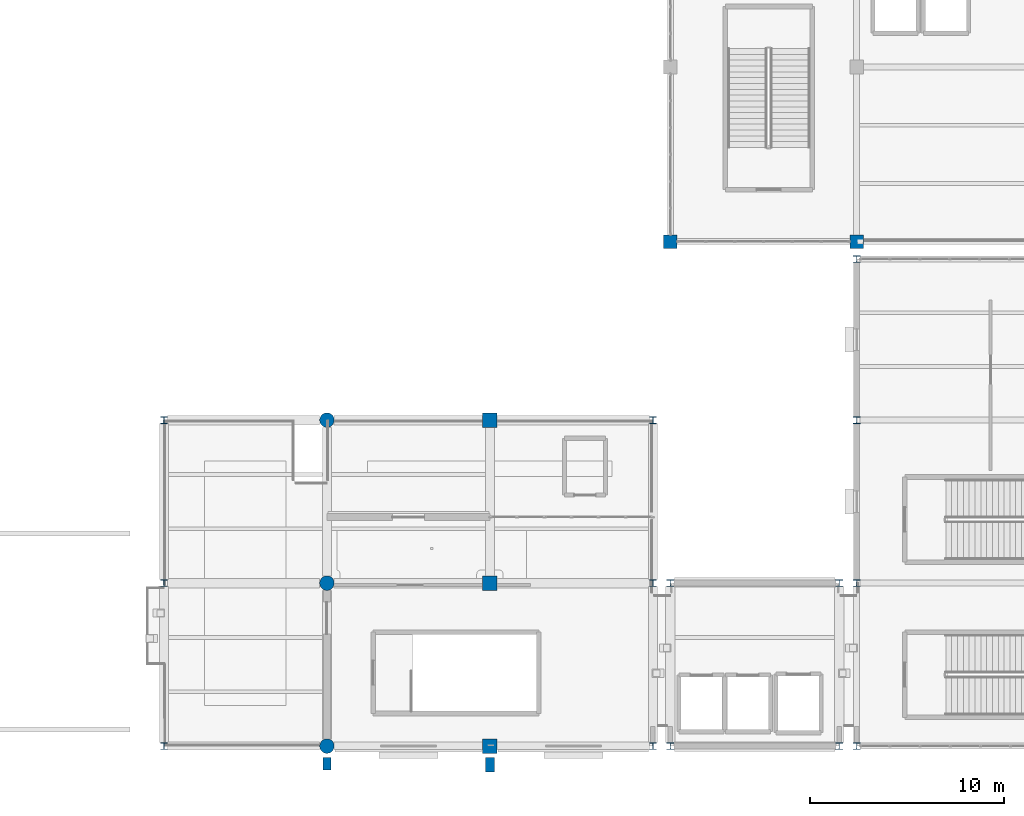
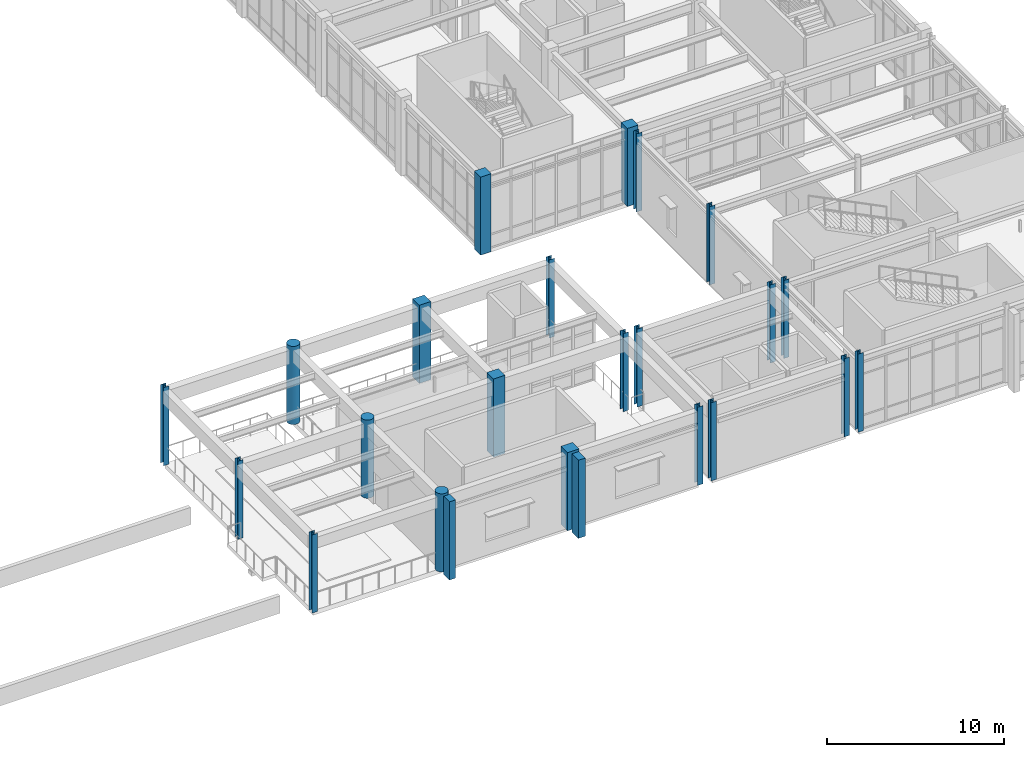
# One storey, part 1 of 80: 24 columns.
"""IFC4 building model written with IfcOpenShell, lengths in metres."""

from ifc_helpers import new_model, si_unit, direction, frame, origin, origin_2d, place, context, subcontext, project, spatial, rectangle, circle, i_section, extrude, material, material_profile, profile_set, type_object, element, save


model = new_model("IFC4")

# Units and contexts
model_context = context("Model", 3, precision=1e-05, world=origin(), true_north=direction((0.0, 1.0)))
body_context = subcontext(model_context, "Body", "Model", "MODEL_VIEW")
ifc_project = project(units=[si_unit("LENGTHUNIT", "METRE"), si_unit("AREAUNIT", "SQUARE_METRE"), si_unit("VOLUMEUNIT", "CUBIC_METRE"), si_unit("PLANEANGLEUNIT", "RADIAN"), si_unit("MASSUNIT", "GRAM", prefix="KILO")], contexts=[model_context])

# Site, building, storey
site_placement = place(None, origin())
site = spatial("IfcSite", under=ifc_project, at=site_placement, CompositionType="ELEMENT")
building_placement = place(site_placement, origin())
building = spatial("IfcBuilding", under=site, at=building_placement, Name="Canglan Escarpment Cableway Terminal", CompositionType="ELEMENT")
storey_placement = place(building_placement, frame((0.0, 0.0, 19.199951171875)))
storey = spatial("IfcBuildingStorey", under=building, at=storey_placement, Name="L04", CompositionType="ELEMENT", Elevation=19.199951171875)

# Columns
ifc_material_1 = material(Name="Steel Q355C", Category="steel")
ifc_material_profile_1 = material_profile(ifc_material_1, i_section(OverallWidth=0.35009765625, OverallDepth=0.35009765625, WebThickness=0.011962890625, FlangeThickness=0.01904296875, FilletRadius=0.02001953125, at=origin_2d()), Name="HW 350x350x12x19")
ifc_profile_set_1 = profile_set([ifc_material_profile_1], Name="Steel Q355C")
column_type_1 = type_object("IfcColumnType", Name="COL-HW350-Q355C", PredefinedType="COLUMN", material=ifc_profile_set_1)
for number, where, z_axis, x_axis, name in (
    (1, (111.5, 8.0, 0.0), (0.0, 0.0, 1.0), (1.0, 0.0, 0.0), "Structural column C-09"),
    (2, (111.5, 16.39990234375, 0.0), (0.0, 0.0, 1.0), (1.0, 0.0, 0.0), "Structural column C-09"),
    (3, (111.5, 24.800048828125, 0.0), (0.0, 0.0, 1.0), (1.0, 0.0, 0.0), "Structural column C-09"),
    (4, (136.699951171875, 8.0, 0.0), (0.0, 0.0, 1.0), (1.0, 0.0, 0.0), "Structural column C-09"),
    (5, (136.699951171875, 16.39990234375, 0.0), (0.0, 0.0, 1.0), (1.0, 0.0, 0.0), "Structural column C-09"),
    (6, (136.699951171875, 24.800048828125, 0.0), (0.0, 0.0, 1.0), (1.0, 0.0, 0.0), "Structural column C-09"),
    (7, (137.60009765625, 8.0, 0.0), (0.0, 0.0, 1.0), (1.0, 0.0, 0.0), "Structural column C-09"),
    (8, (137.60009765625, 16.39990234375, 0.0), (0.0, 0.0, 1.0), (1.0, 0.0, 0.0), "Structural column C-09"),
    (9, (146.300048828125, 8.0, 0.0), (0.0, 0.0, 1.0), (1.0, 0.0, 0.0), "Structural column C-09"),
    (10, (146.300048828125, 16.39990234375, 0.0), (0.0, 0.0, 1.0), (1.0, 0.0, 0.0), "Structural column C-09"),
    (11, (147.199951171875, 8.0, 0.0), (0.0, 0.0, 1.0), (1.0, 0.0, 0.0), "Structural column C-09"),
    (12, (147.199951171875, 16.39990234375, 0.0), (0.0, 0.0, 1.0), (1.0, 0.0, 0.0), "Structural column C-09"),
    (13, (147.199951171875, 24.800048828125, 0.0), (0.0, 0.0, 1.0), (1.0, 0.0, 0.0), "Structural column C-09"),
    (14, (147.199951171875, 33.10009765625, 0.0), (0.0, 0.0, 1.0), (1.0, 0.0, 0.0), "Structural column C-09"),
):
    element("IfcColumn", number, at=place(storey_placement, frame(where, z_axis=z_axis, x_axis=x_axis)), inside=storey, type_object=column_type_1, Name=name, PredefinedType="COLUMN", context=body_context, shape_type="SweptSolid", body=[
        extrude(i_section(OverallWidth=0.35009765625, OverallDepth=0.35009765625, WebThickness=0.011962890625, FlangeThickness=0.01904296875, FilletRadius=0.02001953125, at=origin_2d()), origin(), (0.0, 0.0, 1.0), 5.400146484375),
    ])
ifc_material_2 = material(Name="Concrete C40", Category="concrete")
ifc_material_profile_2 = material_profile(ifc_material_2, rectangle(XDim=0.699951171875, YDim=0.699951171875, at=origin_2d()), Name="RC 700x700")
ifc_profile_set_2 = profile_set([ifc_material_profile_2], Name="Concrete C40")
column_type_2 = type_object("IfcColumnType", Name="COL-RC700-C40", PredefinedType="COLUMN", material=ifc_profile_set_2)
for number, where, z_axis, x_axis, name in (
    (15, (137.60009765625, 34.0, 0.0), (0.0, 0.0, 1.0), (1.0, 0.0, 0.0), "Structural column C-04"),
    (16, (147.199951171875, 34.0, 0.0), (0.0, 0.0, 1.0), (1.0, 0.0, 0.0), "Structural column C-04"),
):
    element("IfcColumn", number, at=place(storey_placement, frame(where, z_axis=z_axis, x_axis=x_axis)), inside=storey, type_object=column_type_2, Name=name, PredefinedType="COLUMN", context=body_context, shape_type="SweptSolid", body=[
        extrude(rectangle(XDim=0.699951171875, YDim=0.699951171875, at=origin_2d()), origin(), (0.0, 0.0, 1.0), 5.400146484375),
    ])
ifc_material_profile_3 = material_profile(ifc_material_2, rectangle(XDim=0.75, YDim=0.75, at=origin_2d()), Name="RC 750x750")
ifc_profile_set_3 = profile_set([ifc_material_profile_3], Name="Concrete C40")
column_type_3 = type_object("IfcColumnType", Name="COL-RC750-C40", PredefinedType="COLUMN", material=ifc_profile_set_3)
for number, where, z_axis, x_axis, name in (
    (17, (128.300048828125, 8.0, 0.0), (0.0, 0.0, 1.0), (1.0, 0.0, 0.0), "Structural column C-03"),
    (18, (128.300048828125, 16.39990234375, 0.0), (0.0, 0.0, 1.0), (1.0, 0.0, 0.0), "Structural column C-03"),
    (19, (128.300048828125, 24.800048828125, 0.0), (0.0, 0.0, 1.0), (1.0, 0.0, 0.0), "Structural column C-03"),
):
    element("IfcColumn", number, at=place(storey_placement, frame(where, z_axis=z_axis, x_axis=x_axis)), inside=storey, type_object=column_type_3, Name=name, PredefinedType="COLUMN", context=body_context, shape_type="SweptSolid", body=[
        extrude(rectangle(XDim=0.75, YDim=0.75, at=origin_2d()), origin(), (0.0, 0.0, 1.0), 5.400146484375),
    ])
ifc_material_profile_4 = material_profile(ifc_material_2, circle(Radius=0.375, at=origin_2d()), Name="RC-CIRC D750")
ifc_profile_set_4 = profile_set([ifc_material_profile_4], Name="Concrete C40")
column_type_4 = type_object("IfcColumnType", Name="COL-RCC750-C40", PredefinedType="COLUMN", material=ifc_profile_set_4)
for number, where, z_axis, x_axis, name in (
    (20, (119.89990234375, 8.0, 0.0), (0.0, 0.0, 1.0), (1.0, 0.0, 0.0), "Structural column C-07"),
    (21, (119.89990234375, 16.39990234375, 0.0), (0.0, 0.0, 1.0), (1.0, 0.0, 0.0), "Structural column C-07"),
    (22, (119.89990234375, 24.800048828125, 0.0), (0.0, 0.0, 1.0), (1.0, 0.0, 0.0), "Structural column C-07"),
):
    element("IfcColumn", number, at=place(storey_placement, frame(where, z_axis=z_axis, x_axis=x_axis)), inside=storey, type_object=column_type_4, Name=name, PredefinedType="COLUMN", context=body_context, shape_type="SweptSolid", body=[
        extrude(circle(Radius=0.375, at=origin_2d()), origin(), (0.0, 0.0, 1.0), 5.400146484375),
    ])
ifc_material_profile_5 = material_profile(ifc_material_2, rectangle(XDim=0.39990234375, YDim=0.64990234375, at=origin_2d()), Name="RC-PIL 400x650")
ifc_profile_set_5 = profile_set([ifc_material_profile_5], Name="Concrete C40")
column_type_5 = type_object("IfcColumnType", Name="PIL-RC400x650", PredefinedType="PILASTER", material=ifc_profile_set_5)
column_1_placement = place(storey_placement, frame((119.89990234375, 7.094970703125, 0.0), z_axis=(0.0, 0.0, 1.0), x_axis=(1.0, 0.0, 0.0)))
element("IfcColumn", 23, at=column_1_placement, inside=storey, type_object=column_type_5, Name="Neoclassical engaged pilaster PL-02", PredefinedType="PILASTER", context=body_context, shape_type="SweptSolid", body=[
    extrude(rectangle(XDim=0.39990234375, YDim=0.64990234375, at=origin_2d()), origin(), (0.0, 0.0, 1.0), 5.400146484375),
])
ifc_material_profile_6 = material_profile(ifc_material_2, rectangle(XDim=0.449951171875, YDim=0.75, at=origin_2d()), Name="RC-PIL 450x750")
ifc_profile_set_6 = profile_set([ifc_material_profile_6], Name="Concrete C40")
column_type_6 = type_object("IfcColumnType", Name="PIL-RC450x750", PredefinedType="PILASTER", material=ifc_profile_set_6)
column_2_placement = place(storey_placement, frame((128.300048828125, 7.044921875, 0.0), z_axis=(0.0, 0.0, 1.0), x_axis=(1.0, 0.0, 0.0)))
element("IfcColumn", 24, at=column_2_placement, inside=storey, type_object=column_type_6, Name="Neoclassical engaged pilaster PL-01", PredefinedType="PILASTER", context=body_context, shape_type="SweptSolid", body=[
    extrude(rectangle(XDim=0.449951171875, YDim=0.75, at=origin_2d()), origin(), (0.0, 0.0, 1.0), 5.400146484375),
])

save(model, "model.ifc")
